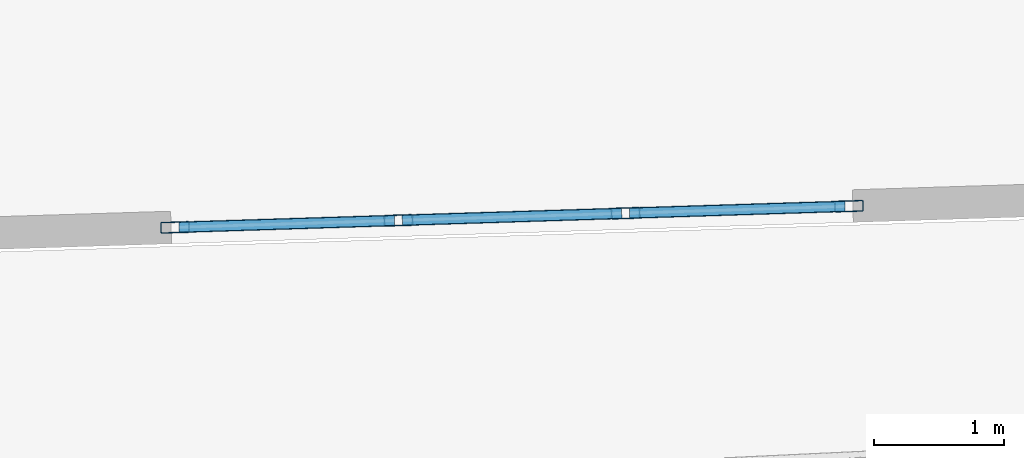
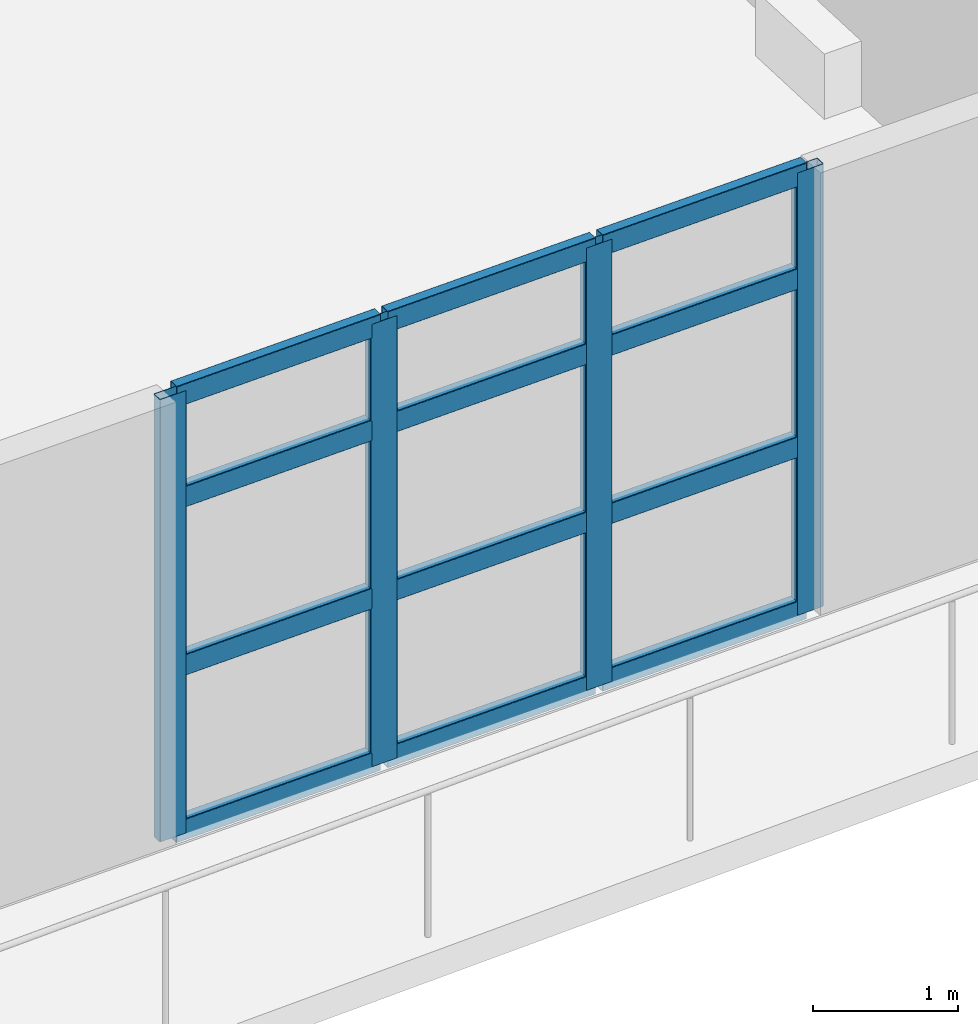
# One storey, part 2 of 18: 16 members, 1 element without a shape of its own.
"""IFC4 building model written with IfcOpenShell, lengths in metres."""

from ifc_helpers import new_model, si_unit, direction, frame, origin, origin_2d, place, context, subcontext, project, spatial, hollow_rectangle, extrude, material, layer, layer_set, material_profile, profile_set, type_object, element, aggregate, save


model = new_model("IFC4")

# Units and contexts
model_context = context("Model", 3, precision=1e-05, world=origin(), true_north=direction((0.0, 1.0)))
body_context = subcontext(model_context, "Body", "Model", "MODEL_VIEW")
ifc_project = project(units=[si_unit("LENGTHUNIT", "METRE"), si_unit("AREAUNIT", "SQUARE_METRE"), si_unit("VOLUMEUNIT", "CUBIC_METRE"), si_unit("PLANEANGLEUNIT", "RADIAN"), si_unit("MASSUNIT", "GRAM", prefix="KILO")], contexts=[model_context])

# Site, building, storey
site_placement = place(None, origin())
site = spatial("IfcSite", under=ifc_project, at=site_placement, CompositionType="ELEMENT")
building_placement = place(site_placement, origin())
building = spatial("IfcBuilding", under=site, at=building_placement, Name="Qingluan Cross Belvedere", CompositionType="ELEMENT")
storey_placement = place(building_placement, frame((0.0, 0.0, 299.39990234375)))
storey = spatial("IfcBuildingStorey", under=building, at=storey_placement, Name="L74", CompositionType="ELEMENT", Elevation=299.39990234375)

# Curtain wall, members
ifc_material_1 = material(Name="Thermally broken aluminium and Low-E glass", Category="aluminium")
ifc_layer = layer(ifc_material_1, 0.179931640625, Name="ObservationCW_DamperGallery")
ifc_layer_set = layer_set([ifc_layer], Name="Thermally broken aluminium and Low-E glass")
curtain_wall_type = type_object("IfcCurtainWallType", Name="ObservationCW_DamperGallery", PredefinedType="USERDEFINED", material=ifc_layer_set)
curtain_wall_placement = place(storey_placement, origin())
curtain_wall = element("IfcCurtainWall", 1, at=curtain_wall_placement, inside=storey, type_object=curtain_wall_type, Name="ObservationCW_DamperGallery run env:cw:L74:S", ObjectType="OBSERVATION GLAZING WALL", PredefinedType="USERDEFINED")
ifc_material_2 = material(Name="Aluminium alloy 6063-T6", Category="aluminium")
ifc_material_profile_1 = material_profile(ifc_material_2, hollow_rectangle(XDim=0.0849609375, YDim=0.219970703125, WallThickness=0.0048828125, InnerFilletRadius=0.0048828125, OuterFilletRadius=0.010009765625, at=origin_2d()), Name="CWM220x85x5")
ifc_profile_set_1 = profile_set([ifc_material_profile_1], Name="Aluminium alloy 6063-T6")
member_type_1 = type_object("IfcMemberType", Name="CWMullion_220", PredefinedType="MULLION", material=ifc_profile_set_1)
member_1_placement = place(storey_placement, frame((-1.783203125, -25.648681640625, 0.0), z_axis=(0.0, 0.0, 1.0), x_axis=(-0.031398124312, 0.999506957349, 0.0)))
member_1 = element("IfcMember", 2, at=member_1_placement, type_object=member_type_1, Name="CW-C1 mullion 1", PredefinedType="MULLION", context=body_context, shape_type="SweptSolid", body=[
    extrude(hollow_rectangle(XDim=0.0849609375, YDim=0.219970703125, WallThickness=0.0048828125, InnerFilletRadius=0.0048828125, OuterFilletRadius=0.010009765625, at=origin_2d()), origin(), (0.0, 0.0, 1.0), 3.72998046875),
])
member_2_placement = place(storey_placement, frame((-0.06884765625, -25.5947265625, 0.0), z_axis=(0.0, 0.0, 1.0), x_axis=(-0.031398124312, 0.999506957349, 0.0)))
member_2 = element("IfcMember", 3, at=member_2_placement, type_object=member_type_1, Name="CW-C1 mullion 2", PredefinedType="MULLION", context=body_context, shape_type="SweptSolid", body=[
    extrude(hollow_rectangle(XDim=0.0849609375, YDim=0.219970703125, WallThickness=0.0048828125, InnerFilletRadius=0.0048828125, OuterFilletRadius=0.010009765625, at=origin_2d()), origin(), (0.0, 0.0, 1.0), 3.72998046875),
])
member_3_placement = place(storey_placement, frame((1.67578125, -25.5400390625, 0.0), z_axis=(0.0, 0.0, 1.0), x_axis=(-0.031398124312, 0.999506957349, 0.0)))
member_3 = element("IfcMember", 4, at=member_3_placement, type_object=member_type_1, Name="CW-C1 mullion 3", PredefinedType="MULLION", context=body_context, shape_type="SweptSolid", body=[
    extrude(hollow_rectangle(XDim=0.0849609375, YDim=0.219970703125, WallThickness=0.0048828125, InnerFilletRadius=0.0048828125, OuterFilletRadius=0.010009765625, at=origin_2d()), origin(), (0.0, 0.0, 1.0), 3.72998046875),
])
member_4_placement = place(storey_placement, frame((3.39013671875, -25.486083984375, 0.0), z_axis=(0.0, 0.0, 1.0), x_axis=(-0.031398124312, 0.999506957349, 0.0)))
member_4 = element("IfcMember", 5, at=member_4_placement, type_object=member_type_1, Name="CW-C1 mullion 4", PredefinedType="MULLION", context=body_context, shape_type="SweptSolid", body=[
    extrude(hollow_rectangle(XDim=0.0849609375, YDim=0.219970703125, WallThickness=0.0048828125, InnerFilletRadius=0.0048828125, OuterFilletRadius=0.010009765625, at=origin_2d()), origin(), (0.0, 0.0, 1.0), 3.72998046875),
])
ifc_material_3 = material(Name="Aluminium alloy 6063-T6", Category="aluminium")
ifc_material_profile_2 = material_profile(ifc_material_3, hollow_rectangle(XDim=0.0849609375, YDim=0.179931640625, WallThickness=0.00390625, InnerFilletRadius=0.00390625, OuterFilletRadius=0.008056640625, at=origin_2d()), Name="CWT180x85x4")
ifc_profile_set_2 = profile_set([ifc_material_profile_2], Name="Aluminium alloy 6063-T6")
member_type_2 = type_object("IfcMemberType", Name="CWTransom_180", PredefinedType="USERDEFINED", material=ifc_profile_set_2)
member_5_placement = place(storey_placement, frame((-1.753173828125, -25.647705078125, 0.030029296875), z_axis=(0.999506448328, 0.031414323963, 0.0), x_axis=(-0.031414323963, 0.999506448328, 0.0)))
member_5 = element("IfcMember", 6, at=member_5_placement, type_object=member_type_2, Name="CW-C1 transom 1.1", ObjectType="TRANSOM", PredefinedType="USERDEFINED", context=body_context, shape_type="SweptSolid", body=[
    extrude(hollow_rectangle(XDim=0.0849609375, YDim=0.179931640625, WallThickness=0.00390625, InnerFilletRadius=0.00390625, OuterFilletRadius=0.008056640625, at=origin_2d()), origin(), (0.0, 0.0, 1.0), 1.6552734375),
])
member_6_placement = place(storey_placement, frame((-1.753173828125, -25.647705078125, 1.4169921875), z_axis=(0.999506448328, 0.031414323963, 0.0), x_axis=(-0.031414323963, 0.999506448328, 0.0)))
member_6 = element("IfcMember", 7, at=member_6_placement, type_object=member_type_2, Name="CW-C1 transom 1.2", ObjectType="TRANSOM", PredefinedType="USERDEFINED", context=body_context, shape_type="SweptSolid", body=[
    extrude(hollow_rectangle(XDim=0.0849609375, YDim=0.179931640625, WallThickness=0.00390625, InnerFilletRadius=0.00390625, OuterFilletRadius=0.008056640625, at=origin_2d()), origin(), (0.0, 0.0, 1.0), 1.6552734375),
])
member_7_placement = place(storey_placement, frame((-1.753173828125, -25.647705078125, 2.835205078125), z_axis=(0.999506448328, 0.031414323963, 0.0), x_axis=(-0.031414323963, 0.999506448328, 0.0)))
member_7 = element("IfcMember", 8, at=member_7_placement, type_object=member_type_2, Name="CW-C1 transom 1.3", ObjectType="TRANSOM", PredefinedType="USERDEFINED", context=body_context, shape_type="SweptSolid", body=[
    extrude(hollow_rectangle(XDim=0.0849609375, YDim=0.179931640625, WallThickness=0.00390625, InnerFilletRadius=0.00390625, OuterFilletRadius=0.008056640625, at=origin_2d()), origin(), (0.0, 0.0, 1.0), 1.6552734375),
])
member_8_placement = place(storey_placement, frame((-1.753173828125, -25.647705078125, 3.7001953125), z_axis=(0.999506448328, 0.031414323963, 0.0), x_axis=(-0.031414323963, 0.999506448328, 0.0)))
member_8 = element("IfcMember", 9, at=member_8_placement, type_object=member_type_2, Name="CW-C1 transom 1.4", ObjectType="TRANSOM", PredefinedType="USERDEFINED", context=body_context, shape_type="SweptSolid", body=[
    extrude(hollow_rectangle(XDim=0.0849609375, YDim=0.179931640625, WallThickness=0.00390625, InnerFilletRadius=0.00390625, OuterFilletRadius=0.008056640625, at=origin_2d()), origin(), (0.0, 0.0, 1.0), 1.6552734375),
])
member_9_placement = place(storey_placement, frame((-0.038818359375, -25.59375, 0.030029296875), z_axis=(0.999510378732, 0.031289020552, 0.0), x_axis=(-0.031289020552, 0.999510378732, 0.0)))
member_9 = element("IfcMember", 10, at=member_9_placement, type_object=member_type_2, Name="CW-C1 transom 2.1", ObjectType="TRANSOM", PredefinedType="USERDEFINED", context=body_context, shape_type="SweptSolid", body=[
    extrude(hollow_rectangle(XDim=0.0849609375, YDim=0.179931640625, WallThickness=0.00390625, InnerFilletRadius=0.00390625, OuterFilletRadius=0.008056640625, at=origin_2d()), origin(), (0.0, 0.0, 1.0), 1.685302734375),
])
member_10_placement = place(storey_placement, frame((-0.038818359375, -25.59375, 1.4169921875), z_axis=(0.999510378732, 0.031289020552, 0.0), x_axis=(-0.031289020552, 0.999510378732, 0.0)))
member_10 = element("IfcMember", 11, at=member_10_placement, type_object=member_type_2, Name="CW-C1 transom 2.2", ObjectType="TRANSOM", PredefinedType="USERDEFINED", context=body_context, shape_type="SweptSolid", body=[
    extrude(hollow_rectangle(XDim=0.0849609375, YDim=0.179931640625, WallThickness=0.00390625, InnerFilletRadius=0.00390625, OuterFilletRadius=0.008056640625, at=origin_2d()), origin(), (0.0, 0.0, 1.0), 1.685302734375),
])
member_11_placement = place(storey_placement, frame((-0.038818359375, -25.59375, 2.835205078125), z_axis=(0.999510378732, 0.031289020552, 0.0), x_axis=(-0.031289020552, 0.999510378732, 0.0)))
member_11 = element("IfcMember", 12, at=member_11_placement, type_object=member_type_2, Name="CW-C1 transom 2.3", ObjectType="TRANSOM", PredefinedType="USERDEFINED", context=body_context, shape_type="SweptSolid", body=[
    extrude(hollow_rectangle(XDim=0.0849609375, YDim=0.179931640625, WallThickness=0.00390625, InnerFilletRadius=0.00390625, OuterFilletRadius=0.008056640625, at=origin_2d()), origin(), (0.0, 0.0, 1.0), 1.685302734375),
])
member_12_placement = place(storey_placement, frame((-0.038818359375, -25.59375, 3.7001953125), z_axis=(0.999510378732, 0.031289020552, 0.0), x_axis=(-0.031289020552, 0.999510378732, 0.0)))
member_12 = element("IfcMember", 13, at=member_12_placement, type_object=member_type_2, Name="CW-C1 transom 2.4", ObjectType="TRANSOM", PredefinedType="USERDEFINED", context=body_context, shape_type="SweptSolid", body=[
    extrude(hollow_rectangle(XDim=0.0849609375, YDim=0.179931640625, WallThickness=0.00390625, InnerFilletRadius=0.00390625, OuterFilletRadius=0.008056640625, at=origin_2d()), origin(), (0.0, 0.0, 1.0), 1.685302734375),
])
member_13_placement = place(storey_placement, frame((1.705810546875, -25.5390625, 0.030029296875), z_axis=(0.999506448328, 0.031414323963, 0.0), x_axis=(-0.031414323963, 0.999506448328, 0.0)))
member_13 = element("IfcMember", 14, at=member_13_placement, type_object=member_type_2, Name="CW-C1 transom 3.1", ObjectType="TRANSOM", PredefinedType="USERDEFINED", context=body_context, shape_type="SweptSolid", body=[
    extrude(hollow_rectangle(XDim=0.0849609375, YDim=0.179931640625, WallThickness=0.00390625, InnerFilletRadius=0.00390625, OuterFilletRadius=0.008056640625, at=origin_2d()), origin(), (0.0, 0.0, 1.0), 1.6552734375),
])
member_14_placement = place(storey_placement, frame((1.705810546875, -25.5390625, 1.4169921875), z_axis=(0.999506448328, 0.031414323963, 0.0), x_axis=(-0.031414323963, 0.999506448328, 0.0)))
member_14 = element("IfcMember", 15, at=member_14_placement, type_object=member_type_2, Name="CW-C1 transom 3.2", ObjectType="TRANSOM", PredefinedType="USERDEFINED", context=body_context, shape_type="SweptSolid", body=[
    extrude(hollow_rectangle(XDim=0.0849609375, YDim=0.179931640625, WallThickness=0.00390625, InnerFilletRadius=0.00390625, OuterFilletRadius=0.008056640625, at=origin_2d()), origin(), (0.0, 0.0, 1.0), 1.6552734375),
])
member_15_placement = place(storey_placement, frame((1.705810546875, -25.5390625, 2.835205078125), z_axis=(0.999506448328, 0.031414323963, 0.0), x_axis=(-0.031414323963, 0.999506448328, 0.0)))
member_15 = element("IfcMember", 16, at=member_15_placement, type_object=member_type_2, Name="CW-C1 transom 3.3", ObjectType="TRANSOM", PredefinedType="USERDEFINED", context=body_context, shape_type="SweptSolid", body=[
    extrude(hollow_rectangle(XDim=0.0849609375, YDim=0.179931640625, WallThickness=0.00390625, InnerFilletRadius=0.00390625, OuterFilletRadius=0.008056640625, at=origin_2d()), origin(), (0.0, 0.0, 1.0), 1.6552734375),
])
member_16_placement = place(storey_placement, frame((1.705810546875, -25.5390625, 3.7001953125), z_axis=(0.999506448328, 0.031414323963, 0.0), x_axis=(-0.031414323963, 0.999506448328, 0.0)))
member_16 = element("IfcMember", 17, at=member_16_placement, type_object=member_type_2, Name="CW-C1 transom 3.4", ObjectType="TRANSOM", PredefinedType="USERDEFINED", context=body_context, shape_type="SweptSolid", body=[
    extrude(hollow_rectangle(XDim=0.0849609375, YDim=0.179931640625, WallThickness=0.00390625, InnerFilletRadius=0.00390625, OuterFilletRadius=0.008056640625, at=origin_2d()), origin(), (0.0, 0.0, 1.0), 1.6552734375),
])
aggregate(curtain_wall, [member_1, member_2, member_3, member_4, member_5, member_6, member_7, member_8, member_9, member_10, member_11, member_12, member_13, member_14, member_15, member_16])

save(model, "model.ifc")
